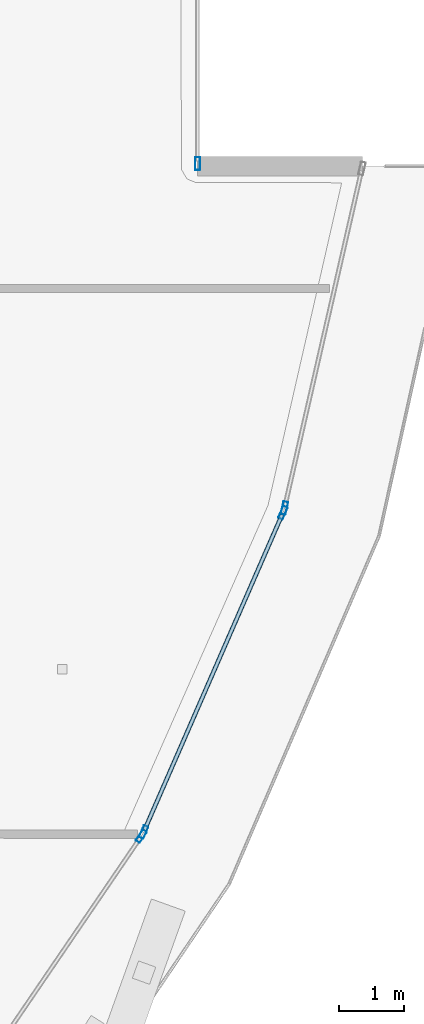
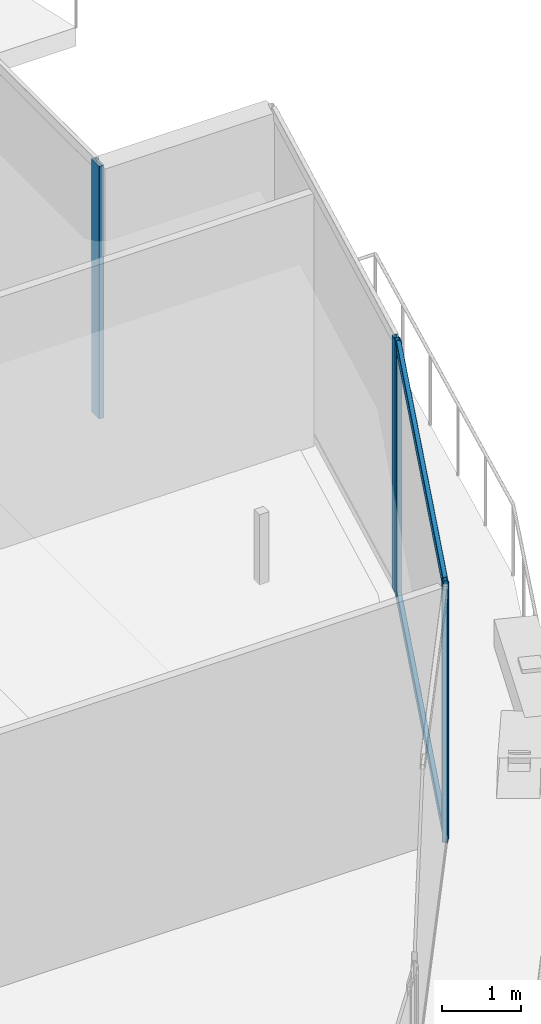
# One storey, part 12 of 34: 7 members, 4 elements without a shape of their own.
"""IFC4 building model written with IfcOpenShell, lengths in metres."""

from ifc_helpers import new_model, si_unit, direction, frame, origin, origin_2d, place, context, subcontext, project, spatial, hollow_rectangle, extrude, material, layer, layer_set, material_profile, profile_set, type_object, element, aggregate, save


model = new_model("IFC4")

# Units and contexts
model_context = context("Model", 3, precision=1e-05, world=origin(), true_north=direction((0.0, 1.0)))
body_context = subcontext(model_context, "Body", "Model", "MODEL_VIEW")
ifc_project = project(units=[si_unit("LENGTHUNIT", "METRE"), si_unit("AREAUNIT", "SQUARE_METRE"), si_unit("VOLUMEUNIT", "CUBIC_METRE"), si_unit("PLANEANGLEUNIT", "RADIAN"), si_unit("MASSUNIT", "GRAM", prefix="KILO")], contexts=[model_context])

# Site, building, storey
site_placement = place(None, origin())
site = spatial("IfcSite", under=ifc_project, at=site_placement, CompositionType="ELEMENT")
building_placement = place(site_placement, origin())
building = spatial("IfcBuilding", under=site, at=building_placement, Name="Qorvath Tower", CompositionType="ELEMENT")
storey_placement = place(building_placement, frame((0.0, 0.0, 276.60009765625)))
storey = spatial("IfcBuildingStorey", under=building, at=storey_placement, Name="L64", CompositionType="ELEMENT", Elevation=276.60009765625)

# Curtain wall, member
ifc_material_1 = material(Name="Anodised aluminium and triple low-E glass", Category="aluminium")
ifc_layer = layer(ifc_material_1, 0.179931640625)
ifc_layer_set = layer_set([ifc_layer], Name="CW-SYS-4")
curtain_wall_type = type_object("IfcCurtainWallType", Name="CW-SYS-4", PredefinedType="NOTDEFINED", material=ifc_layer_set)
curtain_wall_1_placement = place(storey_placement, origin())
curtain_wall_1 = element("IfcCurtainWall", 1, at=curtain_wall_1_placement, inside=storey, type_object=curtain_wall_type, Name="Curtain Wall CW-4 CW-T-L64-5.1", PredefinedType="NOTDEFINED")
ifc_material_2 = material(Name="Anodised aluminium 6063-T6", Category="aluminium")
ifc_material_profile_1 = material_profile(ifc_material_2, hollow_rectangle(XDim=0.074951171875, YDim=0.199951171875, WallThickness=0.00390625, InnerFilletRadius=0.00390625, OuterFilletRadius=0.008056640625, at=origin_2d()), Name="CWM 200x75")
ifc_profile_set_1 = profile_set([ifc_material_profile_1], Name="Anodised aluminium 6063-T6")
member_type_1 = type_object("IfcMemberType", Name="CWM-200", PredefinedType="MULLION", material=ifc_profile_set_1)
member_1_placement = place(storey_placement, frame((-5.402099609375, -14.059814453125, 0.0), z_axis=(0.0, 0.0, 1.0), x_axis=(-0.826318799643, 0.56320266455, 0.0)))
member_1 = element("IfcMember", 2, at=member_1_placement, type_object=member_type_1, Name="CW-4 mullion 2", PredefinedType="MULLION", context=body_context, shape_type="SweptSolid", body=[
    extrude(hollow_rectangle(XDim=0.074951171875, YDim=0.199951171875, WallThickness=0.00390625, InnerFilletRadius=0.00390625, OuterFilletRadius=0.008056640625, at=origin_2d()), origin(), (0.0, 0.0, 1.0), 3.909912109375),
])
aggregate(curtain_wall_1, [member_1])

# Curtain wall, members
curtain_wall_2_placement = place(storey_placement, origin())
curtain_wall_2 = element("IfcCurtainWall", 3, at=curtain_wall_2_placement, inside=storey, type_object=curtain_wall_type, Name="Curtain Wall CW-4 CW-T-L64-6.1", PredefinedType="NOTDEFINED")
member_2_placement = place(storey_placement, frame((-5.365966796875, -13.994384765625, 0.0), z_axis=(0.0, 0.0, 1.0), x_axis=(-0.91655883173, 0.399899872441, 0.0)))
member_2 = element("IfcMember", 4, at=member_2_placement, type_object=member_type_1, Name="CW-4 mullion 1", PredefinedType="MULLION", context=body_context, shape_type="SweptSolid", body=[
    extrude(hollow_rectangle(XDim=0.074951171875, YDim=0.199951171875, WallThickness=0.00390625, InnerFilletRadius=0.00390625, OuterFilletRadius=0.008056640625, at=origin_2d()), origin(), (0.0, 0.0, 1.0), 3.909912109375),
])
member_3_placement = place(storey_placement, frame((-3.231201171875, -9.10205078125, 0.0), z_axis=(0.0, 0.0, 1.0), x_axis=(-0.91655883173, 0.399899872441, 0.0)))
member_3 = element("IfcMember", 5, at=member_3_placement, type_object=member_type_1, Name="CW-4 mullion 2", PredefinedType="MULLION", context=body_context, shape_type="SweptSolid", body=[
    extrude(hollow_rectangle(XDim=0.074951171875, YDim=0.199951171875, WallThickness=0.00390625, InnerFilletRadius=0.00390625, OuterFilletRadius=0.008056640625, at=origin_2d()), origin(), (0.0, 0.0, 1.0), 3.909912109375),
])

# Curtain wall, member
curtain_wall_3_placement = place(storey_placement, origin())
curtain_wall_3 = element("IfcCurtainWall", 6, at=curtain_wall_3_placement, inside=storey, type_object=curtain_wall_type, Name="Curtain Wall CW-4 CW-T-L64-7.1", PredefinedType="NOTDEFINED")
member_4_placement = place(storey_placement, frame((-3.2080078125, -9.031005859375, 0.0), z_axis=(0.0, 0.0, 1.0), x_axis=(-0.974911683446, 0.222592024744, 0.0)))
member_4 = element("IfcMember", 7, at=member_4_placement, type_object=member_type_1, Name="CW-4 mullion 1", PredefinedType="MULLION", context=body_context, shape_type="SweptSolid", body=[
    extrude(hollow_rectangle(XDim=0.074951171875, YDim=0.199951171875, WallThickness=0.00390625, InnerFilletRadius=0.00390625, OuterFilletRadius=0.008056640625, at=origin_2d()), origin(), (0.0, 0.0, 1.0), 3.909912109375),
])
aggregate(curtain_wall_3, [member_4])

curtain_wall_4_placement = place(storey_placement, origin())
curtain_wall_4 = element("IfcCurtainWall", 8, at=curtain_wall_4_placement, inside=storey, type_object=curtain_wall_type, Name="Curtain Wall CW-4 CW-T-L64-9.1", PredefinedType="NOTDEFINED")
member_5_placement = place(storey_placement, frame((-4.538818359375, -3.75341796875, 0.0), z_axis=(0.0, 0.0, 1.0), x_axis=(-1.0, 0.0, 0.0)))
member_5 = element("IfcMember", 9, at=member_5_placement, type_object=member_type_1, Name="CW-4 mullion 1", PredefinedType="MULLION", context=body_context, shape_type="SweptSolid", body=[
    extrude(hollow_rectangle(XDim=0.074951171875, YDim=0.199951171875, WallThickness=0.00390625, InnerFilletRadius=0.00390625, OuterFilletRadius=0.008056640625, at=origin_2d()), origin(), (0.0, 0.0, 1.0), 3.909912109375),
])
aggregate(curtain_wall_4, [member_5])

# Member
ifc_material_3 = material(Name="Anodised aluminium 6063-T6", Category="aluminium")
ifc_material_profile_2 = material_profile(ifc_material_3, hollow_rectangle(XDim=0.06494140625, YDim=0.159912109375, WallThickness=0.00341796875, InnerFilletRadius=0.00341796875, OuterFilletRadius=0.007080078125, at=origin_2d()), Name="CWT 160x65")
ifc_profile_set_2 = profile_set([ifc_material_profile_2], Name="Anodised aluminium 6063-T6")
member_type_2 = type_object("IfcMemberType", Name="CWT-160", PredefinedType="USERDEFINED", material=ifc_profile_set_2)
member_6_placement = place(storey_placement, frame((-5.350830078125, -13.9599609375, 0.032470703125), z_axis=(0.399879269802, 0.916567820504, 0.0), x_axis=(-0.916567820504, 0.399879269802, 0.0)))
member_6 = element("IfcMember", 10, at=member_6_placement, type_object=member_type_2, Name="CW-4 transom 1.1", ObjectType="TRANSOM", PredefinedType="USERDEFINED", context=body_context, shape_type="SweptSolid", body=[
    extrude(hollow_rectangle(XDim=0.06494140625, YDim=0.159912109375, WallThickness=0.00341796875, InnerFilletRadius=0.00341796875, OuterFilletRadius=0.007080078125, at=origin_2d()), origin(), (0.0, 0.0, 1.0), 5.262939453125),
])

member_7_placement = place(storey_placement, frame((-5.350830078125, -13.9599609375, 3.87744140625), z_axis=(0.399879269802, 0.916567820504, 0.0), x_axis=(-0.916567820504, 0.399879269802, 0.0)))
member_7 = element("IfcMember", 11, at=member_7_placement, type_object=member_type_2, Name="CW-4 transom 1.2", ObjectType="TRANSOM", PredefinedType="USERDEFINED", context=body_context, shape_type="SweptSolid", body=[
    extrude(hollow_rectangle(XDim=0.06494140625, YDim=0.159912109375, WallThickness=0.00341796875, InnerFilletRadius=0.00341796875, OuterFilletRadius=0.007080078125, at=origin_2d()), origin(), (0.0, 0.0, 1.0), 5.262939453125),
])

aggregate(curtain_wall_2, [member_2, member_3, member_6, member_7])

save(model, "model.ifc")
